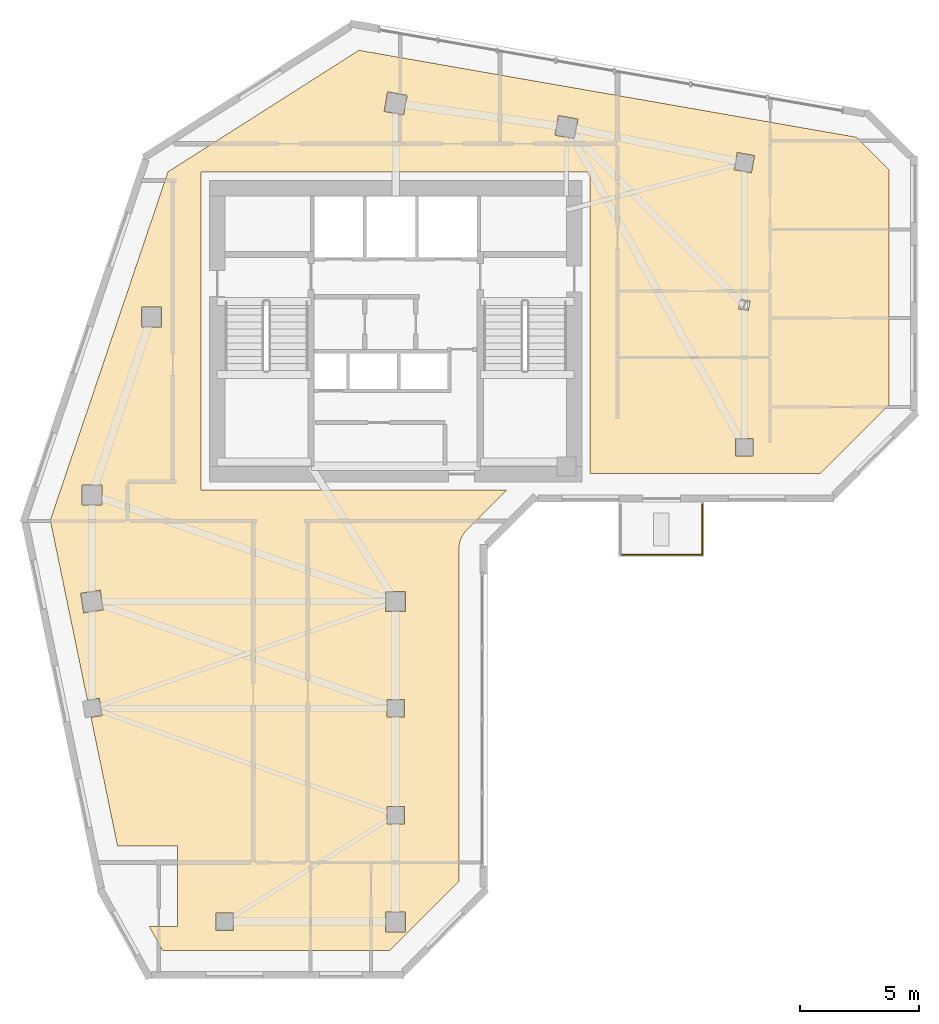
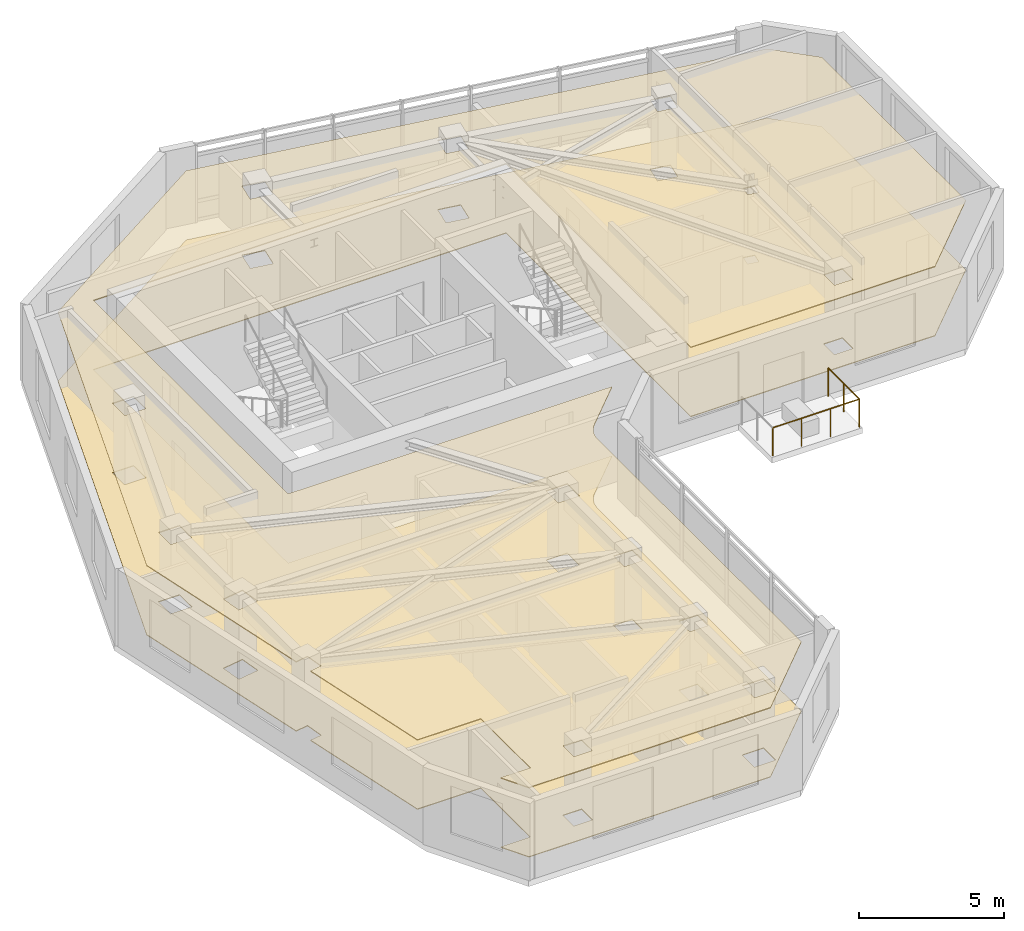
# One storey, part 8 of 9: 2 coverings, 2 railings.
"""IFC4 building model written with IfcOpenShell, lengths in metres."""

from ifc_helpers import new_model, si_unit, direction, frame, origin, origin_2d, place, context, subcontext, project, spatial, polyline, circle, outline, extrude, material, layer, layer_set, type_object, element, save


model = new_model("IFC4")

# Units and contexts
model_context = context("Model", 3, precision=1e-05, world=origin(), true_north=direction((0.0, 1.0)))
body_context = subcontext(model_context, "Body", "Model", "MODEL_VIEW")
ifc_project = project(units=[si_unit("LENGTHUNIT", "METRE"), si_unit("AREAUNIT", "SQUARE_METRE"), si_unit("VOLUMEUNIT", "CUBIC_METRE"), si_unit("PLANEANGLEUNIT", "RADIAN"), si_unit("MASSUNIT", "GRAM", prefix="KILO")], contexts=[model_context])

# Site, building, storey
site_placement = place(None, origin())
site = spatial("IfcSite", under=ifc_project, at=site_placement, CompositionType="ELEMENT")
building_placement = place(site_placement, origin())
building = spatial("IfcBuilding", under=site, at=building_placement, Name="Calvemar Wedge Station Tower", CompositionType="ELEMENT")
storey_placement = place(building_placement, frame((0.0, 0.0, 228.89990234375)))
storey = spatial("IfcBuildingStorey", under=building, at=storey_placement, Name="L58", CompositionType="ELEMENT", Elevation=228.89990234375)

# Coverings
ifc_material_1 = material(Name="Moisture-resistant gypsum ceiling")
ifc_layer_1 = layer(ifc_material_1, 0.0400390625)
ifc_layer_set_1 = layer_set([ifc_layer_1], Name="Moisture-resistant gypsum ceiling")
covering_type_1 = type_object("IfcCoveringType", Name="COV-CEIL-GYPSUM", PredefinedType="CEILING", material=ifc_layer_set_1)
covering_1_placement = place(storey_placement, frame((0.0, 0.0, 2.900146484375)))
element("IfcCovering", 1, at=covering_1_placement, inside=storey, type_object=covering_type_1, Name="Storey L58 Acoustic Suspended Ceiling", PredefinedType="CEILING", context=body_context, shape_type="SweptSolid", body=[
    extrude(outline(polyline([(26.666259765625, 31.358642578125), (26.736328125, 31.453369140625), (26.8154296875, 31.54052734375), (28.474853515625, 33.199951171875), (15.60009765625, 33.199951171875), (15.60009765625, 46.60009765625), (32.0, 46.60009765625), (32.0, 33.89208984375), (41.702880859375, 33.89208984375), (44.60009765625, 36.7890625), (44.60009765625, 46.69482421875), (43.2197265625, 48.0751953125), (22.251708984375, 51.73779296875), (14.201416015625, 46.614990234375), (9.240966796875, 31.92431640625), (10.806884765625, 24.34375), (11.306884765625, 24.423828125), (11.423828125, 23.693115234375), (10.956787109375, 23.618408203125), (12.076171875, 18.199951171875), (14.60009765625, 18.199951171875), (14.60009765625, 14.800048828125), (13.41455078125, 14.800048828125), (13.97021484375, 13.800048828125), (23.56689453125, 13.800048828125), (26.464111328125, 16.697021484375), (26.464111328125, 30.69189453125), (26.4697265625, 30.8095703125), (26.487060546875, 30.926025390625), (26.515625, 31.040283203125), (26.555419921875, 31.151123046875), (26.605712890625, 31.2578125), (26.666259765625, 31.358642578125)]), holes=[polyline([(11.419921875, 33.419921875), (11.419921875, 32.580078125), (10.580078125, 32.580078125), (10.580078125, 33.419921875), (11.419921875, 33.419921875)]), polyline([(13.919921875, 40.080078125), (13.080078125, 40.080078125), (13.080078125, 40.919921875), (13.919921875, 40.919921875), (13.919921875, 40.080078125)]), polyline([(23.312255859375, 49.160888671875), (23.4609375, 49.98779296875), (24.28759765625, 49.839111328125), (24.138916015625, 49.01220703125), (23.312255859375, 49.160888671875)]), polyline([(30.660888671875, 48.98779296875), (31.48779296875, 48.839111328125), (31.339111328125, 48.01220703125), (30.51220703125, 48.160888671875), (30.660888671875, 48.98779296875)]), polyline([(38.9296875, 47.298583984375), (38.798583984375, 46.5703125), (38.0703125, 46.701416015625), (38.201416015625, 47.4296875), (38.9296875, 47.298583984375)]), polyline([(38.8701171875, 34.6298828125), (38.1298828125, 34.6298828125), (38.1298828125, 35.3701171875), (38.8701171875, 35.3701171875), (38.8701171875, 34.6298828125)]), polyline([(38.259765625, 40.833984375), (38.332763671875, 41.239501953125), (38.740234375, 41.166015625), (38.667236328125, 40.760498046875), (38.259765625, 40.833984375)]), polyline([(11.348388671875, 28.981201171875), (11.481201171875, 28.151611328125), (10.651611328125, 28.018798828125), (10.518798828125, 28.848388671875), (11.348388671875, 28.981201171875)]), polyline([(24.219970703125, 28.080078125), (23.3798828125, 28.080078125), (23.3798828125, 28.919921875), (24.219970703125, 28.919921875), (24.219970703125, 28.080078125)]), polyline([(23.429931640625, 23.6298828125), (23.429931640625, 24.3701171875), (24.169921875, 24.3701171875), (24.169921875, 23.6298828125), (23.429931640625, 23.6298828125)]), polyline([(23.429931640625, 19.8701171875), (24.169921875, 19.8701171875), (24.169921875, 19.1298828125), (23.429931640625, 19.1298828125), (23.429931640625, 19.8701171875)]), polyline([(24.219970703125, 15.419921875), (24.219970703125, 14.580078125), (23.3798828125, 14.580078125), (23.3798828125, 15.419921875), (24.219970703125, 15.419921875)]), polyline([(16.969970703125, 14.6298828125), (16.22998046875, 14.6298828125), (16.22998046875, 15.3701171875), (16.969970703125, 15.3701171875), (16.969970703125, 14.6298828125)])]), origin(), (0.0, 0.0, 1.0), 0.0400390625),
])
ifc_material_2 = material(Name="Honed coastal granite stone tile", Category="masonry")
ifc_layer_2 = layer(ifc_material_2, 0.030029296875)
ifc_layer_set_2 = layer_set([ifc_layer_2], Name="Honed coastal granite stone tile")
covering_type_2 = type_object("IfcCoveringType", Name="COV-FLR-STONE", PredefinedType="FLOORING", material=ifc_layer_set_2)
covering_2_placement = place(storey_placement, origin())
element("IfcCovering", 2, at=covering_2_placement, inside=storey, type_object=covering_type_2, Name="Storey L58 Architectural Floor Finish", PredefinedType="FLOORING", context=body_context, shape_type="SweptSolid", body=[
    extrude(outline(polyline([(26.666259765625, 31.358642578125), (26.736328125, 31.453369140625), (26.8154296875, 31.54052734375), (28.474853515625, 33.199951171875), (15.60009765625, 33.199951171875), (15.60009765625, 46.60009765625), (32.0, 46.60009765625), (32.0, 33.89208984375), (41.702880859375, 33.89208984375), (44.60009765625, 36.7890625), (44.60009765625, 46.69482421875), (43.2197265625, 48.0751953125), (22.251708984375, 51.73779296875), (14.201416015625, 46.614990234375), (9.240966796875, 31.92431640625), (10.806884765625, 24.34375), (11.306884765625, 24.423828125), (11.423828125, 23.693115234375), (10.956787109375, 23.618408203125), (12.076171875, 18.199951171875), (14.60009765625, 18.199951171875), (14.60009765625, 14.800048828125), (13.41455078125, 14.800048828125), (13.97021484375, 13.800048828125), (23.56689453125, 13.800048828125), (26.464111328125, 16.697021484375), (26.464111328125, 30.69189453125), (26.4697265625, 30.8095703125), (26.487060546875, 30.926025390625), (26.515625, 31.040283203125), (26.555419921875, 31.151123046875), (26.605712890625, 31.2578125), (26.666259765625, 31.358642578125)]), holes=[polyline([(11.419921875, 33.419921875), (11.419921875, 32.580078125), (10.580078125, 32.580078125), (10.580078125, 33.419921875), (11.419921875, 33.419921875)]), polyline([(13.919921875, 40.080078125), (13.080078125, 40.080078125), (13.080078125, 40.919921875), (13.919921875, 40.919921875), (13.919921875, 40.080078125)]), polyline([(23.312255859375, 49.160888671875), (23.4609375, 49.98779296875), (24.28759765625, 49.839111328125), (24.138916015625, 49.01220703125), (23.312255859375, 49.160888671875)]), polyline([(30.660888671875, 48.98779296875), (31.48779296875, 48.839111328125), (31.339111328125, 48.01220703125), (30.51220703125, 48.160888671875), (30.660888671875, 48.98779296875)]), polyline([(38.9296875, 47.298583984375), (38.798583984375, 46.5703125), (38.0703125, 46.701416015625), (38.201416015625, 47.4296875), (38.9296875, 47.298583984375)]), polyline([(38.8701171875, 34.6298828125), (38.1298828125, 34.6298828125), (38.1298828125, 35.3701171875), (38.8701171875, 35.3701171875), (38.8701171875, 34.6298828125)]), polyline([(38.259765625, 40.833984375), (38.332763671875, 41.239501953125), (38.740234375, 41.166015625), (38.667236328125, 40.760498046875), (38.259765625, 40.833984375)]), polyline([(11.348388671875, 28.981201171875), (11.481201171875, 28.151611328125), (10.651611328125, 28.018798828125), (10.518798828125, 28.848388671875), (11.348388671875, 28.981201171875)]), polyline([(24.219970703125, 28.080078125), (23.3798828125, 28.080078125), (23.3798828125, 28.919921875), (24.219970703125, 28.919921875), (24.219970703125, 28.080078125)]), polyline([(23.429931640625, 23.6298828125), (23.429931640625, 24.3701171875), (24.169921875, 24.3701171875), (24.169921875, 23.6298828125), (23.429931640625, 23.6298828125)]), polyline([(23.429931640625, 19.8701171875), (24.169921875, 19.8701171875), (24.169921875, 19.1298828125), (23.429931640625, 19.1298828125), (23.429931640625, 19.8701171875)]), polyline([(24.219970703125, 15.419921875), (24.219970703125, 14.580078125), (23.3798828125, 14.580078125), (23.3798828125, 15.419921875), (24.219970703125, 15.419921875)]), polyline([(16.969970703125, 14.6298828125), (16.22998046875, 14.6298828125), (16.22998046875, 15.3701171875), (16.969970703125, 15.3701171875), (16.969970703125, 14.6298828125)])]), origin(), (0.0, 0.0, 1.0), 0.030029296875),
])

# Railings
ifc_material_3 = material(Name="Stainless steel AISI 316L", Category="steel")
railing_type = type_object("IfcRailingType", Name="GRD-TERR-1200", PredefinedType="GUARDRAIL", material=ifc_material_3)
railing_1_placement = place(storey_placement, frame((36.719970703125, 32.612060546875, 0.0)))
element("IfcRailing", 3, at=railing_1_placement, inside=storey, type_object=railing_type, Name="Storey L58 Spiral Terrace Guard 2", PredefinedType="GUARDRAIL", context=body_context, shape_type="SweptSolid", body=[
    extrude(circle(Radius=0.02392578125, at=origin_2d()), frame((0.0, 0.0, 1.17578125), z_axis=(0.0, -1.0, 0.0), x_axis=(1.0, 0.0, 0.0)), (0.0, 0.0, 1.0), 2.14013671875),
    extrude(circle(Radius=0.02099609375, at=origin_2d()), origin(), (0.0, 0.0, 1.0), 1.15185546875),
    extrude(circle(Radius=0.02099609375, at=origin_2d()), frame((0.0, -1.070068359375, 0.0)), (0.0, 0.0, 1.0), 1.15185546875),
    extrude(circle(Radius=0.02099609375, at=origin_2d()), frame((0.0, -2.14013671875, 0.0)), (0.0, 0.0, 1.0), 1.15185546875),
])
railing_2_placement = place(storey_placement, frame((36.719970703125, 30.471923828125, 0.0)))
element("IfcRailing", 4, at=railing_2_placement, inside=storey, type_object=railing_type, Name="Storey L58 Spiral Terrace Guard 3", PredefinedType="GUARDRAIL", context=body_context, shape_type="SweptSolid", body=[
    extrude(circle(Radius=0.02392578125, at=origin_2d()), frame((0.0, 0.0, 1.17578125), z_axis=(-1.0, 0.0, 0.0), x_axis=(0.0, -1.0, 0.0)), (0.0, 0.0, 1.0), 3.43994140625),
    extrude(circle(Radius=0.02099609375, at=origin_2d()), origin(), (0.0, 0.0, 1.0), 1.15185546875),
    extrude(circle(Radius=0.02099609375, at=origin_2d()), frame((-1.146728515625, 0.0, 0.0)), (0.0, 0.0, 1.0), 1.15185546875),
    extrude(circle(Radius=0.02099609375, at=origin_2d()), frame((-2.293212890625, 0.0, 0.0)), (0.0, 0.0, 1.0), 1.15185546875),
    extrude(circle(Radius=0.02099609375, at=origin_2d()), frame((-3.43994140625, 0.0, 0.0)), (0.0, 0.0, 1.0), 1.15185546875),
])

save(model, "model.ifc")
